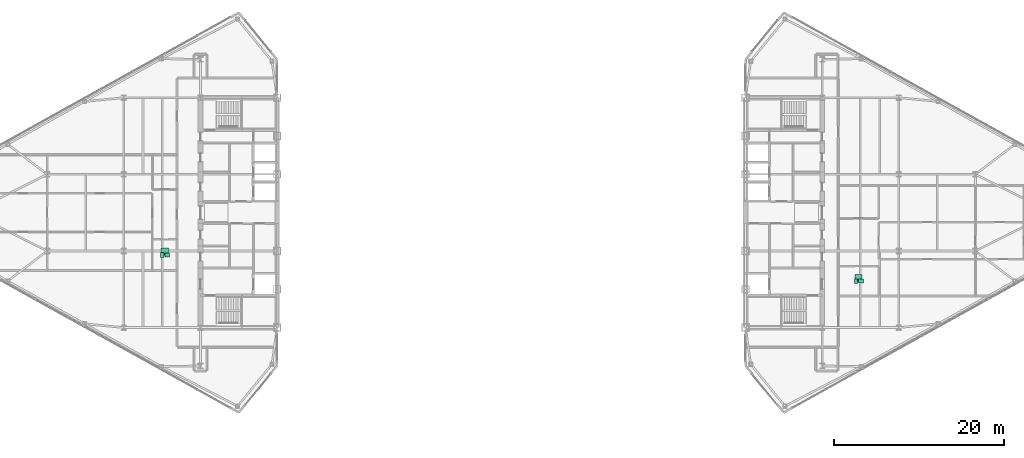
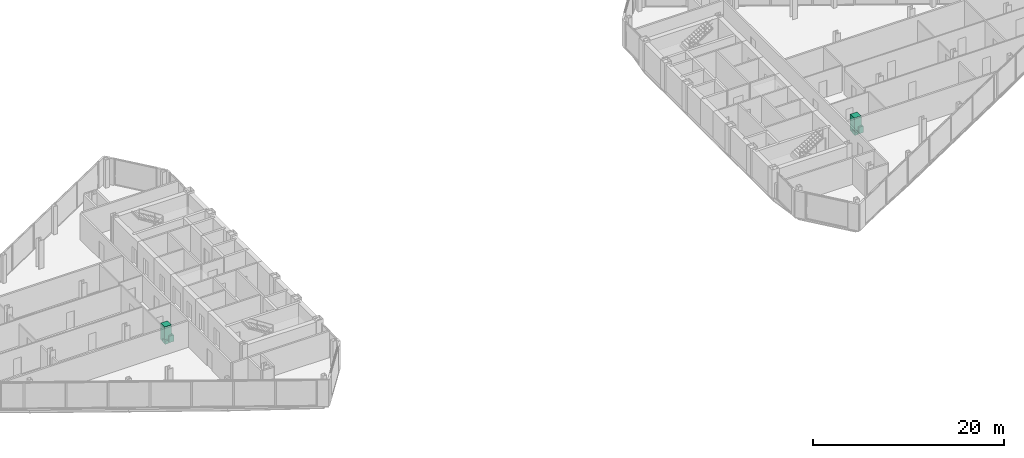
# One storey, part 26 of 26: 6 sanitary terminals.
"""IFC4 building model written with IfcOpenShell, lengths in metres."""

from ifc_helpers import new_model, si_unit, direction, frame, origin, origin_2d, place, context, subcontext, project, spatial, rectangle, extrude, source, transform, mapped, material, type_object, type_shapes, element, save


model = new_model("IFC4")

# Units and contexts
model_context = context("Model", 3, precision=1e-05, world=origin(), true_north=direction((0.0, 1.0)))
body_context = subcontext(model_context, "Body", "Model", "MODEL_VIEW")
ifc_project = project(units=[si_unit("LENGTHUNIT", "METRE"), si_unit("AREAUNIT", "SQUARE_METRE"), si_unit("VOLUMEUNIT", "CUBIC_METRE"), si_unit("PLANEANGLEUNIT", "RADIAN"), si_unit("MASSUNIT", "GRAM", prefix="KILO")], contexts=[model_context])

# Site, building, storey
site_placement = place(None, origin())
site = spatial("IfcSite", under=ifc_project, at=site_placement, CompositionType="ELEMENT")
building_placement = place(site_placement, origin())
building = spatial("IfcBuilding", under=site, at=building_placement, Name="Seokmaru Belvedere", CompositionType="ELEMENT")
storey_placement = place(building_placement, frame((0.0, 0.0, 192.300048828125)))
storey = spatial("IfcBuildingStorey", under=building, at=storey_placement, Name="L51", CompositionType="ELEMENT", Elevation=192.300048828125)

# Sanitary terminals
ifc_material_1 = material(Name="Vitreous China Sanitaryware")
sanitary_terminal_type_1 = type_object("IfcSanitaryTerminalType", Name="Wall-Hung Vitreous China WC Pan", PredefinedType="TOILETPAN", material=ifc_material_1)
shared_shape_1 = source(origin(), body_context, "Body", "SweptSolid", [
    extrude(rectangle(XDim=0.3798828125, YDim=0.56005859375, at=origin_2d()), origin(), (0.0, 0.0, 1.0), 0.419921875),
])
type_shapes(sanitary_terminal_type_1, [shared_shape_1])
for number, where, z_axis, x_axis, name in (
    (1, (-41.0, -4.965087890625, 0.0), (0.0, 0.0, 1.0), (1.0, 0.0, 0.0), "L51 Vitreous China WC 0249"),
    (2, (40.47509765625, -8.0458984375, 0.0), (0.0, 0.0, 1.0), (1.0, 0.0, 0.0), "L51 Vitreous China WC 0250"),
):
    element("IfcSanitaryTerminal", number, at=place(storey_placement, frame(where, z_axis=z_axis, x_axis=x_axis)), inside=storey, type_object=sanitary_terminal_type_1, Name=name, PredefinedType="TOILETPAN", context=body_context, shape_type="MappedRepresentation", body=[
        mapped(shared_shape_1, transform((0.0, 0.0, 0.0), scale=1.0)),
    ])
sanitary_terminal_type_2 = type_object("IfcSanitaryTerminalType", Name="Countertop Ceramic Washhand Basin", PredefinedType="WASHHANDBASIN", material=ifc_material_1)
shared_shape_2 = source(origin(), body_context, "Body", "SweptSolid", [
    extrude(rectangle(XDim=0.550048828125, YDim=0.449951171875, at=origin_2d()), origin(), (0.0, 0.0, 1.0), 0.820068359375),
])
type_shapes(sanitary_terminal_type_2, [shared_shape_2])
for number, where, z_axis, x_axis, name in (
    (3, (-40.39990234375, -4.965087890625, 0.0), (0.0, 0.0, 1.0), (1.0, 0.0, 0.0), "L51 Ceramic Washhand Basin 0249"),
    (4, (41.074951171875, -8.0458984375, 0.0), (0.0, 0.0, 1.0), (1.0, 0.0, 0.0), "L51 Ceramic Washhand Basin 0250"),
):
    element("IfcSanitaryTerminal", number, at=place(storey_placement, frame(where, z_axis=z_axis, x_axis=x_axis)), inside=storey, type_object=sanitary_terminal_type_2, Name=name, PredefinedType="WASHHANDBASIN", context=body_context, shape_type="MappedRepresentation", body=[
        mapped(shared_shape_2, transform((0.0, 0.0, 0.0), scale=1.0)),
    ])
ifc_material_2 = material(Name="Stainless Steel 316", Category="steel")
sanitary_terminal_type_3 = type_object("IfcSanitaryTerminalType", Name="Walk-In Thermostatic Rain Shower Enclosure", PredefinedType="SHOWER", material=ifc_material_2)
shared_shape_3 = source(origin(), body_context, "Body", "SweptSolid", [
    extrude(rectangle(XDim=0.85009765625, YDim=0.85009765625, at=origin_2d()), origin(), (0.0, 0.0, 1.0), 2.050048828125),
])
type_shapes(sanitary_terminal_type_3, [shared_shape_3])
for number, where, z_axis, x_axis, name in (
    (5, (-40.699951171875, -4.5849609375, 0.0), (0.0, 0.0, 1.0), (1.0, 0.0, 0.0), "L51 Walk-In Shower 0249"),
    (6, (40.77490234375, -7.666015625, 0.0), (0.0, 0.0, 1.0), (1.0, 0.0, 0.0), "L51 Walk-In Shower 0250"),
):
    element("IfcSanitaryTerminal", number, at=place(storey_placement, frame(where, z_axis=z_axis, x_axis=x_axis)), inside=storey, type_object=sanitary_terminal_type_3, Name=name, PredefinedType="SHOWER", context=body_context, shape_type="MappedRepresentation", body=[
        mapped(shared_shape_3, transform((0.0, 0.0, 0.0), scale=1.0)),
    ])

save(model, "model.ifc")
